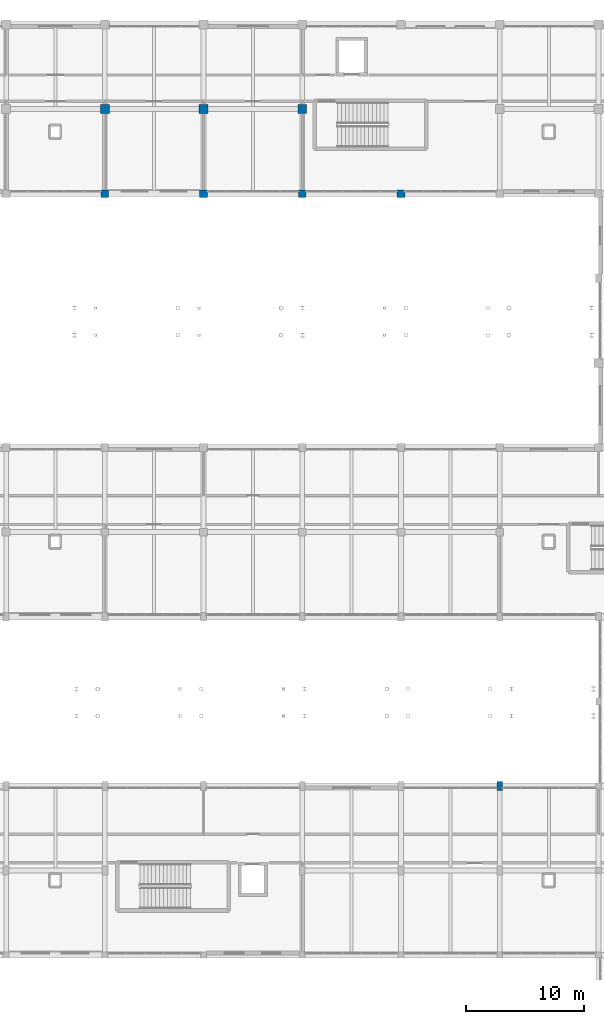
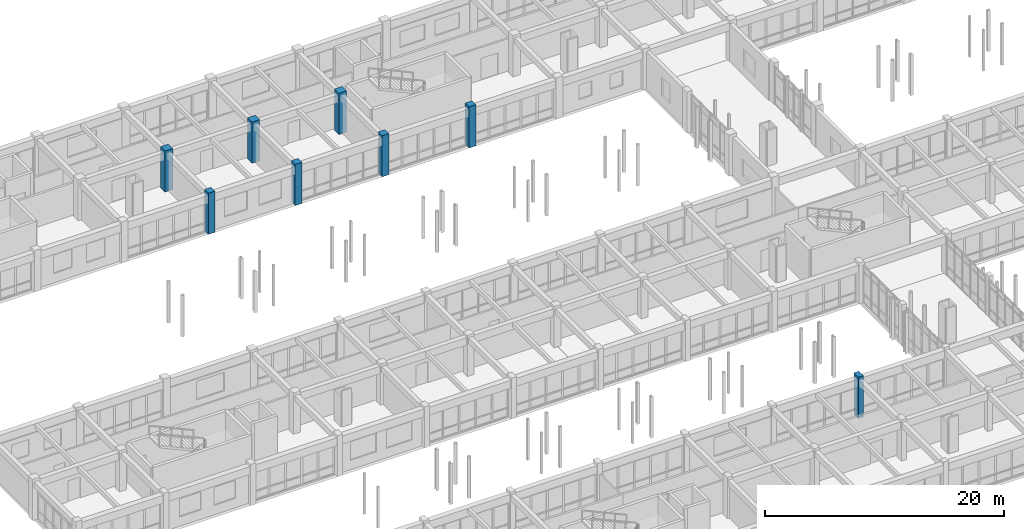
# One storey, part 18 of 147: 8 columns.
"""IFC4 building model written with IfcOpenShell, lengths in metres."""

import ifcopenshell
import ifcopenshell.guid

model = None  # the IFC model being written
_history = None  # IfcOwnerHistory: only IFC2X3 demands one
_inside = {}  # id of a spatial element -> (the spatial element, [elements in it])
_under = {}  # id of a project, library or spatial element -> (it, [spatial elements below it])
_declared = {}  # id of a project -> (the project, [libraries it declares])
_typed = {}  # id of a type object -> (the type object, [elements of that type])
_made_of = {}  # id of a material, layer set ... -> (it, [elements and type objects made of it])


def new_model(schema):
    """Start an empty IFC model of exactly this schema.

    Asked for "IFC4X3", IfcOpenShell would pick the latest addendum, in which some entities
    have other attributes; the version numbers below select the first issue.
    IFC2X3 requires an IfcOwnerHistory on every rooted entity: one is made here for all.
    """
    global model, _history
    if schema == "IFC4X3":
        model = ifcopenshell.file(schema_version=(4, 3, 0, 0))
    else:
        model = ifcopenshell.file(schema=schema)
    _inside.clear()
    _under.clear()
    _declared.clear()
    _typed.clear()
    _made_of.clear()
    _history = None
    if model.schema == "IFC2X3":
        org = make("IfcOrganization", Name="unknown")
        user = make(
            "IfcPersonAndOrganization",
            ThePerson=make("IfcPerson", FamilyName="unknown"),
            TheOrganization=org,
        )
        app = make(
            "IfcApplication",
            ApplicationDeveloper=org,
            Version="unknown",
            ApplicationFullName="unknown",
            ApplicationIdentifier="unknown",
        )
        _history = make(
            "IfcOwnerHistory",
            OwningUser=user,
            OwningApplication=app,
            ChangeAction="ADDED",
            CreationDate=0,
        )
    return model


def make(cls, **values):
    """One entity of the class cls with the attributes given. An attribute that is None is left unset."""
    return model.create_entity(
        cls, **{name: value for name, value in values.items() if value is not None}
    )


def rooted(cls, **values):
    """An entity with a GlobalId (a new one), such as an element, a storey or a relation."""
    return make(cls, GlobalId=ifcopenshell.guid.new(), OwnerHistory=_history, **values)


def si_unit(unit_type, name, prefix=None):
    """IfcSIUnit, for example si_unit("LENGTHUNIT", "METRE", prefix="MILLI")."""
    return make("IfcSIUnit", UnitType=unit_type, Prefix=prefix, Name=name)


def assignment(units):
    """IfcUnitAssignment: the units of a project."""
    return None if units is None else make("IfcUnitAssignment", Units=units)


def point(xyz):
    """IfcCartesianPoint."""
    return None if xyz is None else make("IfcCartesianPoint", Coordinates=xyz)


def direction(xyz):
    """IfcDirection."""
    return None if xyz is None else make("IfcDirection", DirectionRatios=xyz)


def frame(location, z_axis=None, x_axis=None):
    """IfcAxis2Placement3D, a coordinate frame: its origin and axes. An axis left out is left unset."""
    return make(
        "IfcAxis2Placement3D",
        Location=point(location),
        Axis=direction(z_axis),
        RefDirection=direction(x_axis),
    )


def frame_2d(location, x_axis=None):
    """IfcAxis2Placement2D, a coordinate frame in the plane: its origin and x axis."""
    return make(
        "IfcAxis2Placement2D", Location=point(location), RefDirection=direction(x_axis)
    )


def origin():
    """The frame at (0, 0, 0) with its axes left unset."""
    return frame((0.0, 0.0, 0.0))


def origin_2d():
    """The frame at (0, 0) in the plane with its x axis left unset."""
    return frame_2d((0.0, 0.0))


def place(relative_to, where):
    """IfcLocalPlacement: puts the frame where relative to a parent placement (None: the world)."""
    return make(
        "IfcLocalPlacement", PlacementRelTo=relative_to, RelativePlacement=where
    )


def context(
    kind, dimensions, precision=None, world=None, true_north=None, identifier=None
):
    """IfcGeometricRepresentationContext, for example the 3D "Model" context."""
    return make(
        "IfcGeometricRepresentationContext",
        ContextIdentifier=identifier,
        ContextType=kind,
        CoordinateSpaceDimension=dimensions,
        Precision=precision,
        WorldCoordinateSystem=world,
        TrueNorth=true_north,
    )


def subcontext(parent, identifier, kind, view, scale=None):
    """IfcGeometricRepresentationSubContext, for example "Body" below "Model"."""
    return make(
        "IfcGeometricRepresentationSubContext",
        ContextIdentifier=identifier,
        ContextType=kind,
        ParentContext=parent,
        TargetScale=scale,
        TargetView=view,
    )


def project(units=None, contexts=None):
    """IfcProject with its units and contexts."""
    return rooted(
        "IfcProject",
        Name="project",
        RepresentationContexts=contexts,
        UnitsInContext=assignment(units),
    )


def spatial(cls, under=None, at=None, **own):
    """A site, building, storey or space (cls), placed at a placement, below another one or the project."""
    s = rooted(cls, ObjectPlacement=at, **own)
    if under is not None:
        _under.setdefault(under.id(), (under, []))[1].append(s)
    return s


def profile(cls, at=None, kind="AREA", **sizes):
    """A parametric profile (cls). Its sizes go by their IFC names, for example OverallWidth=200.0."""
    return make(cls, ProfileType=kind, Position=at, **sizes)


def rectangle(**sizes):
    """IfcRectangleProfileDef."""
    return profile("IfcRectangleProfileDef", **sizes)


def extrude(swept, where, along, depth):
    """IfcExtrudedAreaSolid: the profile swept, set in the frame where, extruded along a direction by depth."""
    return make(
        "IfcExtrudedAreaSolid",
        SweptArea=swept,
        Position=where,
        ExtrudedDirection=direction(along),
        Depth=depth,
    )


def shape(context_of_items, identifier, shape_type, items):
    """IfcShapeRepresentation: the items that make up one representation, for example the "Body"."""
    return make(
        "IfcShapeRepresentation",
        ContextOfItems=context_of_items,
        RepresentationIdentifier=identifier,
        RepresentationType=shape_type,
        Items=items,
    )


def material(Name=None, Category=None):
    """IfcMaterial."""
    return make("IfcMaterial", Name=Name, Category=Category)


def material_profile(
    of_material, cross_section, Name=None, Category=None, Priority=None
):
    """IfcMaterialProfile: a cross section and its material."""
    return make(
        "IfcMaterialProfile",
        Name=Name,
        Material=of_material,
        Profile=cross_section,
        Priority=Priority,
        Category=Category,
    )


def profile_set(profiles, Name=None, composite=None):
    """IfcMaterialProfileSet."""
    return make(
        "IfcMaterialProfileSet",
        Name=Name,
        MaterialProfiles=profiles,
        CompositeProfile=composite,
    )


def made_of(thing, what):
    """Note that an element or type object is made of a material, layer set ...; save() writes the relation."""
    if what is not None:
        _made_of.setdefault(what.id(), (what, []))[1].append(thing)
    return thing


def type_object(cls, material=None, **own):
    """A type object (cls), such as IfcWallType, which elements share."""
    return made_of(rooted(cls, **own), material)


def element(
    cls,
    number,
    at=None,
    inside=None,
    cuts=None,
    type_object=None,
    material=None,
    context=None,
    identifier="Body",
    shape_type=None,
    held_by="IfcProductDefinitionShape",
    body=None,
    shapes=None,
    **own,
):
    """One element of the class cls, such as IfcWall. Its Tag is "e" and its number.

    at: its placement. inside: the storey or other place that contains it. cuts: it is an
    opening in that element (IfcRelVoidsElement). A single representation is given by context,
    identifier, shape_type and body (its items); several are given by shapes. held_by: the class
    of the entity that holds the representations. save() writes the other relations.
    """
    e = rooted(cls, Tag="e%d" % number, ObjectPlacement=at, **own)
    if body is not None:
        shapes = [shape(context, identifier, shape_type, body)]
    if shapes is not None:
        e.Representation = make(held_by, Representations=shapes)
    if inside is not None:
        _inside.setdefault(inside.id(), (inside, []))[1].append(e)
    if cuts is not None:
        rooted(
            "IfcRelVoidsElement", RelatingBuildingElement=cuts, RelatedOpeningElement=e
        )
    if type_object is not None:
        _typed.setdefault(type_object.id(), (type_object, []))[1].append(e)
    return made_of(e, material)


def aggregate(whole, parts):
    """IfcRelAggregates: a whole, such as a stair, and the parts it consists of."""
    return rooted("IfcRelAggregates", RelatingObject=whole, RelatedObjects=parts)


def save(model, path):
    """Write the relations noted so far, then the file.

    IfcRelAggregates (storeys below a building ...), IfcRelContainedInSpatialStructure (elements
    in a storey), IfcRelDefinesByType, IfcRelAssociatesMaterial and IfcRelDeclares: one each for
    every whole, place, type object, material and project.
    """
    for whole, parts in _under.values():
        aggregate(whole, parts)
    for where, things in _inside.values():
        rooted(
            "IfcRelContainedInSpatialStructure",
            RelatedElements=things,
            RelatingStructure=where,
        )
    for kind, things in _typed.values():
        rooted("IfcRelDefinesByType", RelatedObjects=things, RelatingType=kind)
    for what, things in _made_of.values():
        rooted("IfcRelAssociatesMaterial", RelatedObjects=things, RelatingMaterial=what)
    for by, libraries in _declared.values():
        rooted("IfcRelDeclares", RelatingContext=by, RelatedDefinitions=libraries)
    model.write(path)


model = new_model("IFC4")

# Units and contexts
model_context = context("Model", 3, precision=1e-05, world=origin(), true_north=direction((0.0, 1.0)))
body_context = subcontext(model_context, "Body", "Model", "MODEL_VIEW")
ifc_project = project(units=[si_unit("LENGTHUNIT", "METRE"), si_unit("AREAUNIT", "SQUARE_METRE"), si_unit("VOLUMEUNIT", "CUBIC_METRE"), si_unit("PLANEANGLEUNIT", "RADIAN"), si_unit("MASSUNIT", "GRAM", prefix="KILO")], contexts=[model_context])

# Site, building, storey
site_placement = place(None, origin())
site = spatial("IfcSite", under=ifc_project, at=site_placement, CompositionType="ELEMENT")
building_placement = place(site_placement, origin())
building = spatial("IfcBuilding", under=site, at=building_placement, Name="Malvenik Polytechnic", CompositionType="ELEMENT")
storey_placement = place(building_placement, frame((0.0, 0.0, 5.10009765625)))
storey = spatial("IfcBuildingStorey", under=building, at=storey_placement, Name="L01", CompositionType="ELEMENT", Elevation=5.10009765625)

# Columns
ifc_material_1 = material(Name="Concrete C40/50", Category="concrete")
ifc_material_profile_1 = material_profile(ifc_material_1, rectangle(XDim=0.75, YDim=0.75, at=origin_2d()), Name="RC COL 750x750")
ifc_profile_set_1 = profile_set([ifc_material_profile_1], Name="Concrete C40/50")
column_type_1 = type_object("IfcColumnType", Name="STR-COL-C-03", PredefinedType="COLUMN", material=ifc_profile_set_1)
for number, where, z_axis, x_axis, name in (
    (1, (33.60009765625, 122.39990234375, 0.0), (0.0, 0.0, 1.0), (1.0, 0.0, 0.0), "Column C-03 L01 (33.6,122.4)"),
    (2, (42.0, 122.39990234375, 0.0), (0.0, 0.0, 1.0), (1.0, 0.0, 0.0), "Column C-03 L01 (42.0,122.4)"),
    (3, (50.39990234375, 122.39990234375, 0.0), (0.0, 0.0, 1.0), (1.0, 0.0, 0.0), "Column C-03 L01 (50.4,122.4)"),
):
    element("IfcColumn", number, at=place(storey_placement, frame(where, z_axis=z_axis, x_axis=x_axis)), inside=storey, type_object=column_type_1, Name=name, PredefinedType="COLUMN", context=body_context, shape_type="SweptSolid", body=[
        extrude(rectangle(XDim=0.75, YDim=0.75, at=origin_2d()), origin(), (0.0, 0.0, 1.0), 4.199951171875),
    ])
ifc_material_2 = material(Name="Concrete C35/45", Category="concrete")
ifc_material_profile_2 = material_profile(ifc_material_2, rectangle(XDim=0.64990234375, YDim=0.64990234375, at=origin_2d()), Name="RC COL 650x650")
ifc_profile_set_2 = profile_set([ifc_material_profile_2], Name="Concrete C35/45")
column_type_2 = type_object("IfcColumnType", Name="STR-COL-C-05", PredefinedType="COLUMN", material=ifc_profile_set_2)
for number, where, z_axis, x_axis, name in (
    (4, (33.60009765625, 115.199951171875, 0.0), (0.0, 0.0, 1.0), (1.0, 0.0, 0.0), "Column C-05 L01 (33.6,115.2)"),
    (5, (42.0, 115.199951171875, 0.0), (0.0, 0.0, 1.0), (1.0, 0.0, 0.0), "Column C-05 L01 (42.0,115.2)"),
    (6, (50.39990234375, 115.199951171875, 0.0), (0.0, 0.0, 1.0), (1.0, 0.0, 0.0), "Column C-05 L01 (50.4,115.2)"),
    (7, (58.800048828125, 115.199951171875, 0.0), (0.0, 0.0, 1.0), (1.0, 0.0, 0.0), "Column C-05 L01 (58.8,115.2)"),
):
    element("IfcColumn", number, at=place(storey_placement, frame(where, z_axis=z_axis, x_axis=x_axis)), inside=storey, type_object=column_type_2, Name=name, PredefinedType="COLUMN", context=body_context, shape_type="SweptSolid", body=[
        extrude(rectangle(XDim=0.64990234375, YDim=0.64990234375, at=origin_2d()), origin(), (0.0, 0.0, 1.0), 4.199951171875),
    ])
ifc_material_profile_3 = material_profile(ifc_material_2, rectangle(XDim=0.5, YDim=0.75, at=origin_2d()), Name="RC COL 750x500")
ifc_profile_set_3 = profile_set([ifc_material_profile_3], Name="Concrete C35/45")
column_type_3 = type_object("IfcColumnType", Name="STR-COL-C-14", PredefinedType="COLUMN", material=ifc_profile_set_3)
column_placement = place(storey_placement, frame((67.199951171875, 64.800048828125, 0.0), z_axis=(0.0, 0.0, 1.0), x_axis=(1.0, 0.0, 0.0)))
element("IfcColumn", 8, at=column_placement, inside=storey, type_object=column_type_3, Name="Column C-14 L01 (67.2,64.8)", PredefinedType="COLUMN", context=body_context, shape_type="SweptSolid", body=[
    extrude(rectangle(XDim=0.5, YDim=0.75, at=origin_2d()), origin(), (0.0, 0.0, 1.0), 4.199951171875),
])

save(model, "model.ifc")
